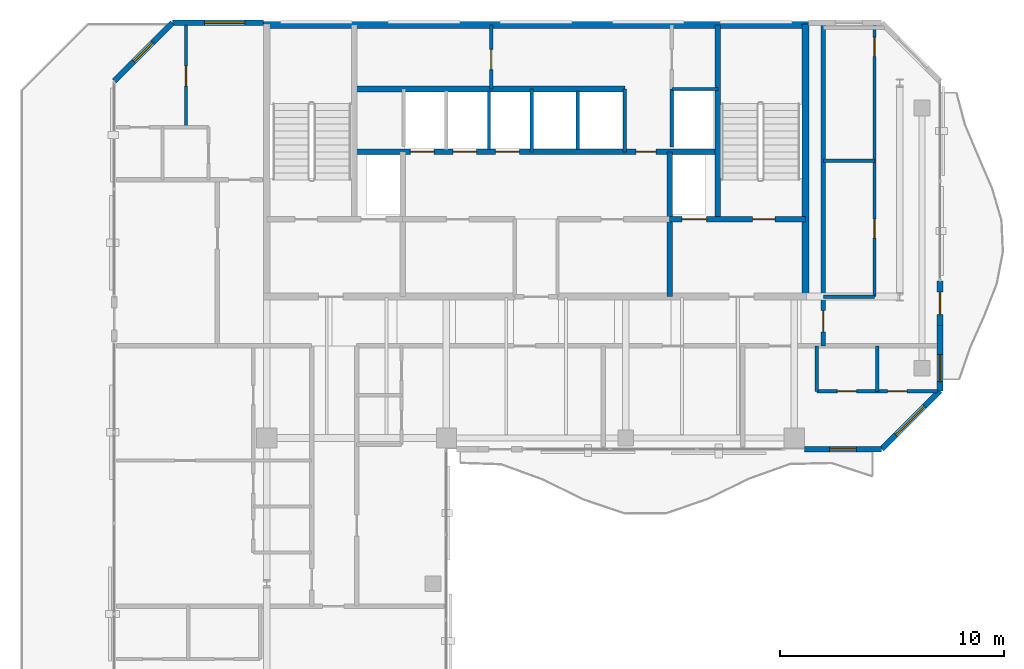
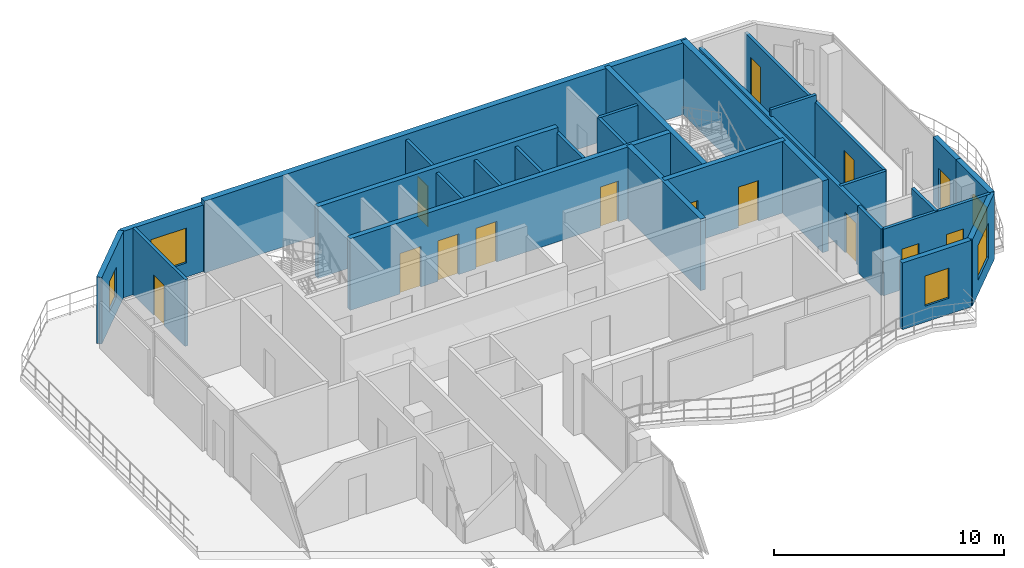
# One storey, part 15 of 18: 28 walls, 14 doors, 5 windows, 19 openings.
"""IFC4 building model written with IfcOpenShell, lengths in metres."""

from ifc_helpers import new_model, si_unit, direction, frame, frame_2d, origin, place, context, subcontext, project, spatial, rectangle, extrude, material, layer, layer_set, type_object, element, fill, save


model = new_model("IFC4")

# Units and contexts
model_context = context("Model", 3, precision=1e-05, world=origin(), true_north=direction((0.0, 1.0)))
body_context = subcontext(model_context, "Body", "Model", "MODEL_VIEW")
ifc_project = project(units=[si_unit("LENGTHUNIT", "METRE"), si_unit("AREAUNIT", "SQUARE_METRE"), si_unit("VOLUMEUNIT", "CUBIC_METRE"), si_unit("PLANEANGLEUNIT", "RADIAN"), si_unit("MASSUNIT", "GRAM", prefix="KILO")], contexts=[model_context])

# Site, building, storey
site_placement = place(None, origin())
site = spatial("IfcSite", under=ifc_project, at=site_placement, CompositionType="ELEMENT")
building_placement = place(site_placement, origin())
building = spatial("IfcBuilding", under=site, at=building_placement, Name="Catumbela Crestline Tower", CompositionType="ELEMENT")
storey_placement = place(building_placement, frame((0.0, 0.0, 264.0)))
storey = spatial("IfcBuildingStorey", under=building, at=storey_placement, Name="L68", CompositionType="ELEMENT", Elevation=264.0)

# Walls
ifc_material_1 = material(Name="Concrete C50/60", Category="concrete")
ifc_layer_1 = layer(ifc_material_1, 0.25, Name="Concrete C50/60")
ifc_layer_set_1 = layer_set([ifc_layer_1], Name="Concrete C50/60")
wall_type_1 = type_object("IfcWallType", Name="CW-250D", PredefinedType="SHEAR", material=ifc_layer_set_1)
wall_1_placement = place(storey_placement, frame((36.1, 34.25, 0.0), z_axis=(0.0, 0.0, 1.0), x_axis=(0.0, 1.0, 0.0)))
element("IfcWall", 1, at=wall_1_placement, inside=storey, type_object=wall_type_1, Name="L68 Structural Core Shear Wall EWEB", PredefinedType="SHEAR", context=body_context, shape_type="SweptSolid", body=[
    extrude(rectangle(XDim=8.65, YDim=0.25, at=frame_2d((4.325, 0.0))), origin(), (0.0, 0.0, 1.0), 3.8),
])
wall_2_placement = place(storey_placement, frame((33.95, 30.8, 0.0), z_axis=(0.0, 0.0, 1.0), x_axis=(0.0, 1.0, 0.0)))
element("IfcWall", 2, at=wall_2_placement, inside=storey, type_object=wall_type_1, Name="L68 Structural Core Shear Wall FFE", PredefinedType="SHEAR", context=body_context, shape_type="SweptSolid", body=[
    extrude(rectangle(XDim=6.45, YDim=0.25, at=frame_2d((3.225, 0.0))), origin(), (0.0, 0.0, 1.0), 3.8),
])

# Wall, openings, doors
wall_3_placement = place(storey_placement, frame((33.95, 34.25, 0.0), z_axis=(0.0, 0.0, 1.0), x_axis=(1.0, 0.0, 0.0)))
wall_3 = element("IfcWall", 3, at=wall_3_placement, inside=storey, type_object=wall_type_1, Name="L68 Structural Core Shear Wall ST2S", PredefinedType="SHEAR", context=body_context, shape_type="SweptSolid", body=[
    extrude(rectangle(XDim=6.05, YDim=0.25, at=frame_2d((3.025, 0.0))), origin(), (0.0, 0.0, 1.0), 3.8),
])
opening_1_placement = place(wall_3_placement, frame((3.7, 0.0, 0.0)))
opening_1 = element("IfcOpeningElement", 4, at=opening_1_placement, cuts=wall_3, Name="Opening DF9-100", PredefinedType="OPENING", context=body_context, shape_type="SweptSolid", body=[
    extrude(rectangle(XDim=1.0, YDim=2.15, at=frame_2d((0.5, 1.075))), frame((0.0, 0.135, 0.0), z_axis=(0.0, -1.0, 0.0), x_axis=(1.0, 0.0, 0.0)), (0.0, 0.0, 1.0), 0.27),
])
opening_2_placement = place(wall_3_placement, frame((0.55, 0.0, 0.0)))
opening_2 = element("IfcOpeningElement", 5, at=opening_2_placement, cuts=wall_3, Name="Opening LD-110", PredefinedType="OPENING", context=body_context, shape_type="SweptSolid", body=[
    extrude(rectangle(XDim=1.1, YDim=2.15, at=frame_2d((0.55, 1.075))), frame((0.0, 0.135, 0.0), z_axis=(0.0, -1.0, 0.0), x_axis=(1.0, 0.0, 0.0)), (0.0, 0.0, 1.0), 0.27),
])
ifc_material_2 = material(Name="Stainless steel EN 1.4401", Category="steel")
door_type_1 = type_object("IfcDoorType", Name="DF9-100", OperationType="NOTDEFINED", PredefinedType="DOOR", material=ifc_material_2)
door_1_placement = place(opening_1_placement, origin())
door_1 = element("IfcDoor", 6, at=door_1_placement, inside=storey, type_object=door_type_1, Name="L68 Interior Door DR-L68-ST02", OperationType="SINGLE_SWING_RIGHT", OverallHeight=2.15, OverallWidth=1.0, PredefinedType="DOOR", context=body_context, shape_type="SweptSolid", body=[
    extrude(rectangle(XDim=1.0, YDim=2.15, at=frame_2d((0.5, 1.075))), frame((0.0, 0.025, 0.0), z_axis=(0.0, -1.0, 0.0), x_axis=(1.0, 0.0, 0.0)), (0.0, 0.0, 1.0), 0.05),
])
fill(opening_1, door_1)
door_type_2 = type_object("IfcDoorType", Name="LD-110", OperationType="NOTDEFINED", PredefinedType="DOOR", material=ifc_material_2)
door_2_placement = place(opening_2_placement, origin())
door_2 = element("IfcDoor", 7, at=door_2_placement, inside=storey, type_object=door_type_2, Name="L68 Lift Landing Sliding Door FL-02", OperationType="DOUBLE_DOOR_SLIDING", OverallHeight=2.15, OverallWidth=1.1, PredefinedType="DOOR", context=body_context, shape_type="SweptSolid", body=[
    extrude(rectangle(XDim=1.1, YDim=2.15, at=frame_2d((0.55, 1.075))), frame((0.0, 0.025, 0.0), z_axis=(0.0, -1.0, 0.0), x_axis=(1.0, 0.0, 0.0)), (0.0, 0.0, 1.0), 0.05),
])
fill(opening_2, door_2)

wall_4_placement = place(storey_placement, frame((19.9, 37.25, 0.0), z_axis=(0.0, 0.0, 1.0), x_axis=(1.0, 0.0, 0.0)))
wall_4 = element("IfcWall", 8, at=wall_4_placement, inside=storey, type_object=wall_type_1, Name="L68 Structural Core Shear Wall LIFTN", PredefinedType="SHEAR", context=body_context, shape_type="SweptSolid", body=[
    extrude(rectangle(XDim=16.2, YDim=0.25, at=frame_2d((8.1, 0.0))), origin(), (0.0, 0.0, 1.0), 3.8),
])
opening_3_placement = place(wall_4_placement, frame((12.55, 0.0, 0.0)))
opening_3 = element("IfcOpeningElement", 9, at=opening_3_placement, cuts=wall_4, Name="Opening DF9-090", PredefinedType="OPENING", context=body_context, shape_type="SweptSolid", body=[
    extrude(rectangle(XDim=0.9, YDim=2.15, at=frame_2d((0.45, 1.075))), frame((0.0, 0.135, 0.0), z_axis=(0.0, -1.0, 0.0), x_axis=(1.0, 0.0, 0.0)), (0.0, 0.0, 1.0), 0.27),
])
opening_4_placement = place(wall_4_placement, frame((2.5, 0.0, 0.0)))
opening_4 = element("IfcOpeningElement", 10, at=opening_4_placement, cuts=wall_4, Name="Opening LD-105", PredefinedType="OPENING", context=body_context, shape_type="SweptSolid", body=[
    extrude(rectangle(XDim=1.05, YDim=2.15, at=frame_2d((0.525, 1.075))), frame((0.0, 0.135, 0.0), z_axis=(0.0, -1.0, 0.0), x_axis=(1.0, 0.0, 0.0)), (0.0, 0.0, 1.0), 0.27),
])
opening_5_placement = place(wall_4_placement, frame((4.4, 0.0, 0.0)))
opening_5 = element("IfcOpeningElement", 11, at=opening_5_placement, cuts=wall_4, Name="Opening LD-105", PredefinedType="OPENING", context=body_context, shape_type="SweptSolid", body=[
    extrude(rectangle(XDim=1.05, YDim=2.15, at=frame_2d((0.525, 1.075))), frame((0.0, 0.135, 0.0), z_axis=(0.0, -1.0, 0.0), x_axis=(1.0, 0.0, 0.0)), (0.0, 0.0, 1.0), 0.27),
])
opening_6_placement = place(wall_4_placement, frame((6.3, 0.0, 0.0)))
opening_6 = element("IfcOpeningElement", 12, at=opening_6_placement, cuts=wall_4, Name="Opening LD-105", PredefinedType="OPENING", context=body_context, shape_type="SweptSolid", body=[
    extrude(rectangle(XDim=1.05, YDim=2.15, at=frame_2d((0.525, 1.075))), frame((0.0, 0.135, 0.0), z_axis=(0.0, -1.0, 0.0), x_axis=(1.0, 0.0, 0.0)), (0.0, 0.0, 1.0), 0.27),
])
door_type_3 = type_object("IfcDoorType", Name="DF9-090", OperationType="NOTDEFINED", PredefinedType="DOOR", material=ifc_material_2)
door_3_placement = place(opening_3_placement, origin())
door_3 = element("IfcDoor", 13, at=door_3_placement, inside=storey, type_object=door_type_3, Name="L68 Interior Door DR-L68-CPAS1", OperationType="SINGLE_SWING_LEFT", OverallHeight=2.15, OverallWidth=0.9, PredefinedType="DOOR", context=body_context, shape_type="SweptSolid", body=[
    extrude(rectangle(XDim=0.9, YDim=2.15, at=frame_2d((0.45, 1.075))), frame((0.0, 0.025, 0.0), z_axis=(0.0, -1.0, 0.0), x_axis=(1.0, 0.0, 0.0)), (0.0, 0.0, 1.0), 0.05),
])
fill(opening_3, door_3)
door_type_4 = type_object("IfcDoorType", Name="LD-105", OperationType="NOTDEFINED", PredefinedType="DOOR", material=ifc_material_2)
door_4_placement = place(opening_4_placement, origin())
door_4 = element("IfcDoor", 14, at=door_4_placement, inside=storey, type_object=door_type_4, Name="L68 Lift Landing Sliding Door PL-H1", OperationType="DOUBLE_DOOR_SLIDING", OverallHeight=2.15, OverallWidth=1.05, PredefinedType="DOOR", context=body_context, shape_type="SweptSolid", body=[
    extrude(rectangle(XDim=1.05, YDim=2.15, at=frame_2d((0.525, 1.075))), frame((0.0, 0.025, 0.0), z_axis=(0.0, -1.0, 0.0), x_axis=(1.0, 0.0, 0.0)), (0.0, 0.0, 1.0), 0.05),
])
fill(opening_4, door_4)
door_5_placement = place(opening_5_placement, origin())
door_5 = element("IfcDoor", 15, at=door_5_placement, inside=storey, type_object=door_type_4, Name="L68 Lift Landing Sliding Door PL-H2", OperationType="DOUBLE_DOOR_SLIDING", OverallHeight=2.15, OverallWidth=1.05, PredefinedType="DOOR", context=body_context, shape_type="SweptSolid", body=[
    extrude(rectangle(XDim=1.05, YDim=2.15, at=frame_2d((0.525, 1.075))), frame((0.0, 0.025, 0.0), z_axis=(0.0, -1.0, 0.0), x_axis=(1.0, 0.0, 0.0)), (0.0, 0.0, 1.0), 0.05),
])
fill(opening_5, door_5)
door_6_placement = place(opening_6_placement, origin())
door_6 = element("IfcDoor", 16, at=door_6_placement, inside=storey, type_object=door_type_4, Name="L68 Lift Landing Sliding Door PL-H3", OperationType="DOUBLE_DOOR_SLIDING", OverallHeight=2.15, OverallWidth=1.05, PredefinedType="DOOR", context=body_context, shape_type="SweptSolid", body=[
    extrude(rectangle(XDim=1.05, YDim=2.15, at=frame_2d((0.525, 1.075))), frame((0.0, 0.025, 0.0), z_axis=(0.0, -1.0, 0.0), x_axis=(1.0, 0.0, 0.0)), (0.0, 0.0, 1.0), 0.05),
])
fill(opening_6, door_6)

# Walls
wall_5_placement = place(storey_placement, frame((19.9, 40.05, 0.0), z_axis=(0.0, 0.0, 1.0), x_axis=(1.0, 0.0, 0.0)))
element("IfcWall", 17, at=wall_5_placement, inside=storey, type_object=wall_type_1, Name="L68 Structural Core Shear Wall COREN", PredefinedType="SHEAR", context=body_context, shape_type="SweptSolid", body=[
    extrude(rectangle(XDim=12.05, YDim=0.25, at=frame_2d((6.025, 0.0))), origin(), (0.0, 0.0, 1.0), 3.8),
])
ifc_material_3 = material(Name="Concrete C45/55", Category="concrete")
ifc_layer_2 = layer(ifc_material_3, 0.3, Name="Concrete C45/55")
ifc_layer_set_2 = layer_set([ifc_layer_2], Name="Concrete C45/55")
wall_type_2 = type_object("IfcWallType", Name="CW-300C", PredefinedType="SHEAR", material=ifc_layer_set_2)
wall_6_placement = place(storey_placement, frame((40.0, 30.65, 0.0), z_axis=(0.0, 0.0, 1.0), x_axis=(0.0, 1.0, 0.0)))
element("IfcWall", 18, at=wall_6_placement, inside=storey, type_object=wall_type_2, Name="L68 Structural Core Shear Wall E", PredefinedType="SHEAR", context=body_context, shape_type="SweptSolid", body=[
    extrude(rectangle(XDim=12.3, YDim=0.3, at=frame_2d((6.15, 0.0))), origin(), (0.0, 0.0, 1.0), 3.8),
])
ifc_layer_3 = layer(ifc_material_3, 0.3, Name="Concrete C45/55")
ifc_layer_set_3 = layer_set([ifc_layer_3], Name="Concrete C45/55")
wall_type_3 = type_object("IfcWallType", Name="CW-300E", PredefinedType="SHEAR", material=ifc_layer_set_3)
wall_7_placement = place(storey_placement, frame((15.85, 42.9, 0.0), z_axis=(0.0, 0.0, 1.0), x_axis=(1.0, 0.0, 0.0)))
element("IfcWall", 19, at=wall_7_placement, inside=storey, type_object=wall_type_3, Name="L68 Structural Core Shear Wall N", PredefinedType="SHEAR", context=body_context, shape_type="SweptSolid", body=[
    extrude(rectangle(XDim=24.3, YDim=0.3, at=frame_2d((12.15, 0.0))), origin(), (0.0, 0.0, 1.0), 3.8),
])

# Wall, opening, door
ifc_material_4 = material(Name="Acoustic gypsum and mineral-wool partition")
ifc_layer_4 = layer(ifc_material_4, 0.2, Name="Acoustic gypsum and mineral-wool partition")
ifc_layer_set_4 = layer_set([ifc_layer_4], Name="Acoustic gypsum and mineral-wool partition")
wall_type_4 = type_object("IfcWallType", Name="WC-200", PredefinedType="PARTITIONING", material=ifc_layer_set_4)
wall_8_placement = place(storey_placement, frame((40.8, 28.6, 0.0), z_axis=(0.0, 0.0, 1.0), x_axis=(0.0, 1.0, 0.0)))
wall_8 = element("IfcWall", 20, at=wall_8_placement, inside=storey, type_object=wall_type_4, Name="L68 Interior Partition PW-L68-NE1-ENT", PredefinedType="PARTITIONING", context=body_context, shape_type="SweptSolid", body=[
    extrude(rectangle(XDim=14.3, YDim=0.2, at=frame_2d((7.15, 0.0))), origin(), (0.0, 0.0, 1.0), 3.16),
])
opening_7_placement = place(wall_8_placement, frame((0.625, 0.0, 0.0)))
opening_7 = element("IfcOpeningElement", 21, at=opening_7_placement, cuts=wall_8, Name="Opening DF6-095", PredefinedType="OPENING", context=body_context, shape_type="SweptSolid", body=[
    extrude(rectangle(XDim=0.95, YDim=2.15, at=frame_2d((0.475, 1.075))), frame((0.0, 0.11, 0.0), z_axis=(0.0, -1.0, 0.0), x_axis=(1.0, 0.0, 0.0)), (0.0, 0.0, 1.0), 0.22),
])
ifc_material_5 = material(Name="Aluminium alloy AW-6060-T66", Category="aluminium")
door_type_5 = type_object("IfcDoorType", Name="DF6-095", OperationType="NOTDEFINED", PredefinedType="DOOR", material=ifc_material_5)
door_7_placement = place(opening_7_placement, origin())
door_7 = element("IfcDoor", 22, at=door_7_placement, inside=storey, type_object=door_type_5, Name="L68 Interior Door DR-L68-NE1-ENT", OperationType="SINGLE_SWING_LEFT", OverallHeight=2.15, OverallWidth=0.95, PredefinedType="DOOR", context=body_context, shape_type="SweptSolid", body=[
    extrude(rectangle(XDim=0.95, YDim=2.15, at=frame_2d((0.475, 1.075))), frame((0.0, 0.025, 0.0), z_axis=(0.0, -1.0, 0.0), x_axis=(1.0, 0.0, 0.0)), (0.0, 0.0, 1.0), 0.05),
])
fill(opening_7, door_7)

# Wall, opening, window
ifc_material_6 = material(Name="Angolan grey-ochre granite", Category="masonry")
ifc_layer_5 = layer(ifc_material_6, 0.25, Name="Angolan grey-ochre granite")
ifc_layer_set_5 = layer_set([ifc_layer_5], Name="Angolan grey-ochre granite")
wall_type_5 = type_object("IfcWallType", Name="WE-250", PredefinedType="STANDARD", material=ifc_layer_set_5)
wall_9_placement = place(storey_placement, frame((39.95, 24.0, 0.0), z_axis=(0.0, 0.0, 1.0), x_axis=(1.0, 0.0, 0.0)))
wall_9 = element("IfcWall", 23, at=wall_9_placement, inside=storey, type_object=wall_type_5, Name="L68 Granite Punched Window Wall 3-3", PredefinedType="STANDARD", context=body_context, shape_type="SweptSolid", body=[
    extrude(rectangle(XDim=3.45, YDim=0.25, at=frame_2d((1.725, 0.0))), origin(), (0.0, 0.0, 1.0), 3.53),
])
opening_8_placement = place(wall_9_placement, frame((1.125, 0.0, 0.85)))
opening_8 = element("IfcOpeningElement", 24, at=opening_8_placement, cuts=wall_9, Name="Opening WN-02", PredefinedType="OPENING", context=body_context, shape_type="SweptSolid", body=[
    extrude(rectangle(XDim=1.2, YDim=1.6, at=frame_2d((0.6, 0.8))), frame((0.0, 0.135, 0.0), z_axis=(0.0, -1.0, 0.0), x_axis=(1.0, 0.0, 0.0)), (0.0, 0.0, 1.0), 0.27),
])
ifc_material_7 = material(Name="Low-E laminated solar-control double glazing", Category="glass")
window_type_1 = type_object("IfcWindowType", Name="WO-1200", PartitioningType="SINGLE_PANEL", PredefinedType="WINDOW", material=ifc_material_7)
window_1_placement = place(opening_8_placement, origin())
window_1 = element("IfcWindow", 25, at=window_1_placement, inside=storey, type_object=window_type_1, Name="L68 Facade Vision Window 530", OverallHeight=1.6, OverallWidth=1.2, PartitioningType="SINGLE_PANEL", PredefinedType="WINDOW", context=body_context, shape_type="SweptSolid", body=[
    extrude(rectangle(XDim=1.2, YDim=1.6, at=frame_2d((0.6, 0.8))), frame((0.0, 0.03, 0.0), z_axis=(0.0, -1.0, 0.0), x_axis=(1.0, 0.0, 0.0)), (0.0, 0.0, 1.0), 0.06),
])
fill(opening_8, window_1)

wall_10_placement = place(storey_placement, frame((43.4, 24.0, 0.0), z_axis=(0.0, 0.0, 1.0), x_axis=(0.707106781187, 0.707106781187, 0.0)))
wall_10 = element("IfcWall", 26, at=wall_10_placement, inside=storey, type_object=wall_type_5, Name="L68 Granite Punched Window Wall 4-1", PredefinedType="STANDARD", context=body_context, shape_type="SweptSolid", body=[
    extrude(rectangle(XDim=3.677, YDim=0.25, at=frame_2d((1.8385, 0.0))), origin(), (0.0, 0.0, 1.0), 3.53),
])
opening_9_placement = place(wall_10_placement, frame((0.8962, 0.0, 0.75)))
opening_9 = element("IfcOpeningElement", 27, at=opening_9_placement, cuts=wall_10, Name="Opening WN-01", PredefinedType="OPENING", context=body_context, shape_type="SweptSolid", body=[
    extrude(rectangle(XDim=1.8, YDim=1.85, at=frame_2d((0.9, 0.925))), frame((0.0, 0.135, 0.0), z_axis=(0.0, -1.0, 0.0), x_axis=(1.0, 0.0, 0.0)), (0.0, 0.0, 1.0), 0.27),
])
window_type_2 = type_object("IfcWindowType", Name="WF-1800", PartitioningType="SINGLE_PANEL", PredefinedType="WINDOW", material=ifc_material_7)
window_2_placement = place(opening_9_placement, origin())
window_2 = element("IfcWindow", 28, at=window_2_placement, inside=storey, type_object=window_type_2, Name="L68 Facade Vision Window 531", OverallHeight=1.85, OverallWidth=1.8, PartitioningType="SINGLE_PANEL", PredefinedType="WINDOW", context=body_context, shape_type="SweptSolid", body=[
    extrude(rectangle(XDim=1.8, YDim=1.85, at=frame_2d((0.9, 0.925))), frame((0.0, 0.03, 0.0), z_axis=(0.0, -1.0, 0.0), x_axis=(1.0, 0.0, 0.0)), (0.0, 0.0, 1.0), 0.06),
])
fill(opening_9, window_2)

# Wall, opening, door
wall_11_placement = place(storey_placement, frame((46.0, 29.5, 0.0), z_axis=(0.0, 0.0, 1.0), x_axis=(0.0, 1.0, 0.0)))
wall_11 = element("IfcWall", 29, at=wall_11_placement, inside=storey, type_object=wall_type_5, Name="L68 Exterior Threshold Portal Wall DR-L68-WBAL-2", PredefinedType="STANDARD", context=body_context, shape_type="SweptSolid", body=[
    extrude(rectangle(XDim=2.0, YDim=0.25, at=frame_2d((1.0, 0.0))), origin(), (0.0, 0.0, 1.0), 3.53),
])
opening_10_placement = place(wall_11_placement, frame((0.5, 0.0, 0.0)))
opening_10 = element("IfcOpeningElement", 30, at=opening_10_placement, cuts=wall_11, Name="Opening DB-L68-2", PredefinedType="OPENING", context=body_context, shape_type="SweptSolid", body=[
    extrude(rectangle(XDim=1.0, YDim=2.15, at=frame_2d((0.5, 1.075))), frame((0.0, 0.135, 0.0), z_axis=(0.0, -1.0, 0.0), x_axis=(1.0, 0.0, 0.0)), (0.0, 0.0, 1.0), 0.27),
])
door_type_6 = type_object("IfcDoorType", Name="DB-1000", OperationType="NOTDEFINED", PredefinedType="DOOR", material=ifc_material_5)
door_8_placement = place(opening_10_placement, origin())
door_8 = element("IfcDoor", 31, at=door_8_placement, inside=storey, type_object=door_type_6, Name="L68 Wave Balcony Terrace Door 2", OperationType="SINGLE_SWING_LEFT", OverallHeight=2.15, OverallWidth=1.0, PredefinedType="DOOR", context=body_context, shape_type="SweptSolid", body=[
    extrude(rectangle(XDim=1.0, YDim=2.15, at=frame_2d((0.5, 1.075))), frame((0.0, 0.025, 0.0), z_axis=(0.0, -1.0, 0.0), x_axis=(1.0, 0.0, 0.0)), (0.0, 0.0, 1.0), 0.05),
])
fill(opening_10, door_8)

# Wall, opening, window
wall_12_placement = place(storey_placement, frame((46.0, 26.6, 0.0), z_axis=(0.0, 0.0, 1.0), x_axis=(0.0, 1.0, 0.0)))
wall_12 = element("IfcWall", 32, at=wall_12_placement, inside=storey, type_object=wall_type_5, Name="L68 Granite Punched Window Wall 5-1", PredefinedType="STANDARD", context=body_context, shape_type="SweptSolid", body=[
    extrude(rectangle(XDim=2.9, YDim=0.25, at=frame_2d((1.45, 0.0))), origin(), (0.0, 0.0, 1.0), 3.53),
])
opening_11_placement = place(wall_12_placement, frame((0.41, 0.0, 0.85)))
opening_11 = element("IfcOpeningElement", 33, at=opening_11_placement, cuts=wall_12, Name="Opening WN-02", PredefinedType="OPENING", context=body_context, shape_type="SweptSolid", body=[
    extrude(rectangle(XDim=1.2, YDim=1.6, at=frame_2d((0.6, 0.8))), frame((0.0, 0.135, 0.0), z_axis=(0.0, -1.0, 0.0), x_axis=(1.0, 0.0, 0.0)), (0.0, 0.0, 1.0), 0.27),
])
window_3_placement = place(opening_11_placement, origin())
window_3 = element("IfcWindow", 34, at=window_3_placement, inside=storey, type_object=window_type_1, Name="L68 Facade Vision Window 532", OverallHeight=1.6, OverallWidth=1.2, PartitioningType="SINGLE_PANEL", PredefinedType="WINDOW", context=body_context, shape_type="SweptSolid", body=[
    extrude(rectangle(XDim=1.2, YDim=1.6, at=frame_2d((0.6, 0.8))), frame((0.0, 0.03, 0.0), z_axis=(0.0, -1.0, 0.0), x_axis=(1.0, 0.0, 0.0)), (0.0, 0.0, 1.0), 0.06),
])
fill(opening_11, window_3)

wall_13_placement = place(storey_placement, frame((15.86, 43.0, 0.0), z_axis=(0.0, 0.0, 1.0), x_axis=(-1.0, 0.0, 0.0)))
wall_13 = element("IfcWall", 35, at=wall_13_placement, inside=storey, type_object=wall_type_5, Name="L68 Granite Punched Window Wall 7-2", PredefinedType="STANDARD", context=body_context, shape_type="SweptSolid", body=[
    extrude(rectangle(XDim=4.06, YDim=0.25, at=frame_2d((2.03, 0.0))), origin(), (0.0, 0.0, 1.0), 3.53),
])
opening_12_placement = place(wall_13_placement, frame((0.84, 0.0, 0.75)))
opening_12 = element("IfcOpeningElement", 36, at=opening_12_placement, cuts=wall_13, Name="Opening WN-01", PredefinedType="OPENING", context=body_context, shape_type="SweptSolid", body=[
    extrude(rectangle(XDim=1.8, YDim=1.85, at=frame_2d((0.9, 0.925))), frame((0.0, 0.135, 0.0), z_axis=(0.0, -1.0, 0.0), x_axis=(1.0, 0.0, 0.0)), (0.0, 0.0, 1.0), 0.27),
])
window_4_placement = place(opening_12_placement, origin())
window_4 = element("IfcWindow", 37, at=window_4_placement, inside=storey, type_object=window_type_2, Name="L68 Facade Vision Window 535", OverallHeight=1.85, OverallWidth=1.8, PartitioningType="SINGLE_PANEL", PredefinedType="WINDOW", context=body_context, shape_type="SweptSolid", body=[
    extrude(rectangle(XDim=1.8, YDim=1.85, at=frame_2d((0.9, 0.925))), frame((0.0, 0.03, 0.0), z_axis=(0.0, -1.0, 0.0), x_axis=(1.0, 0.0, 0.0)), (0.0, 0.0, 1.0), 0.06),
])
fill(opening_12, window_4)

wall_14_placement = place(storey_placement, frame((11.8, 43.0, 0.0), z_axis=(0.0, 0.0, 1.0), x_axis=(-0.707106781187, -0.707106781187, 0.0)))
wall_14 = element("IfcWall", 38, at=wall_14_placement, inside=storey, type_object=wall_type_5, Name="L68 Granite Punched Window Wall 8-1", PredefinedType="STANDARD", context=body_context, shape_type="SweptSolid", body=[
    extrude(rectangle(XDim=3.677, YDim=0.25, at=frame_2d((1.8385, 0.0))), origin(), (0.0, 0.0, 1.0), 3.53),
])
opening_13_placement = place(wall_14_placement, frame((1.2385, 0.0, 0.85)))
opening_13 = element("IfcOpeningElement", 39, at=opening_13_placement, cuts=wall_14, Name="Opening WN-02", PredefinedType="OPENING", context=body_context, shape_type="SweptSolid", body=[
    extrude(rectangle(XDim=1.2, YDim=1.6, at=frame_2d((0.6, 0.8))), frame((0.0, 0.135, 0.0), z_axis=(0.0, -1.0, 0.0), x_axis=(1.0, 0.0, 0.0)), (0.0, 0.0, 1.0), 0.27),
])
window_5_placement = place(opening_13_placement, origin())
window_5 = element("IfcWindow", 40, at=window_5_placement, inside=storey, type_object=window_type_1, Name="L68 Facade Vision Window 536", OverallHeight=1.6, OverallWidth=1.2, PartitioningType="SINGLE_PANEL", PredefinedType="WINDOW", context=body_context, shape_type="SweptSolid", body=[
    extrude(rectangle(XDim=1.2, YDim=1.6, at=frame_2d((0.6, 0.8))), frame((0.0, 0.03, 0.0), z_axis=(0.0, -1.0, 0.0), x_axis=(1.0, 0.0, 0.0)), (0.0, 0.0, 1.0), 0.06),
])
fill(opening_13, window_5)

# Wall
ifc_layer_6 = layer(ifc_material_4, 0.15, Name="Acoustic gypsum and mineral-wool partition")
ifc_layer_set_6 = layer_set([ifc_layer_6], Name="Acoustic gypsum and mineral-wool partition")
wall_type_6 = type_object("IfcWallType", Name="WP-150", PredefinedType="PARTITIONING", material=ifc_layer_set_6)
wall_15_placement = place(storey_placement, frame((34.05, 40.05, 0.0), z_axis=(0.0, 0.0, 1.0), x_axis=(1.0, 0.0, 0.0)))
element("IfcWall", 41, at=wall_15_placement, inside=storey, type_object=wall_type_6, Name="L68 Interior Partition PW-L68-CR-ES", PredefinedType="PARTITIONING", context=body_context, shape_type="SweptSolid", body=[
    extrude(rectangle(XDim=2.05, YDim=0.15, at=frame_2d((1.025, 0.0))), origin(), (0.0, 0.0, 1.0), 3.53),
])

# Wall, opening, door
wall_16_placement = place(storey_placement, frame((26.0, 40.05, 0.0), z_axis=(0.0, 0.0, 1.0), x_axis=(0.0, 1.0, 0.0)))
wall_16 = element("IfcWall", 42, at=wall_16_placement, inside=storey, type_object=wall_type_6, Name="L68 Interior Partition PW-L68-CR-WW", PredefinedType="PARTITIONING", context=body_context, shape_type="SweptSolid", body=[
    extrude(rectangle(XDim=2.85, YDim=0.15, at=frame_2d((1.425, 0.0))), origin(), (0.0, 0.0, 1.0), 3.53),
])
opening_14_placement = place(wall_16_placement, frame((0.865, 0.0, 0.0)))
opening_14 = element("IfcOpeningElement", 43, at=opening_14_placement, cuts=wall_16, Name="Opening DF9-090", PredefinedType="OPENING", context=body_context, shape_type="SweptSolid", body=[
    extrude(rectangle(XDim=0.9, YDim=2.15, at=frame_2d((0.45, 1.075))), frame((0.0, 0.085, 0.0), z_axis=(0.0, -1.0, 0.0), x_axis=(1.0, 0.0, 0.0)), (0.0, 0.0, 1.0), 0.17),
])
door_9_placement = place(opening_14_placement, origin())
door_9 = element("IfcDoor", 44, at=door_9_placement, inside=storey, type_object=door_type_3, Name="L68 Interior Door DR-L68-CRWEST", OperationType="SINGLE_SWING_LEFT", OverallHeight=2.15, OverallWidth=0.9, PredefinedType="DOOR", context=body_context, shape_type="SweptSolid", body=[
    extrude(rectangle(XDim=0.9, YDim=2.15, at=frame_2d((0.45, 1.075))), frame((0.0, 0.025, 0.0), z_axis=(0.0, -1.0, 0.0), x_axis=(1.0, 0.0, 0.0)), (0.0, 0.0, 1.0), 0.05),
])
fill(opening_14, door_9)

wall_17_placement = place(storey_placement, frame((12.4, 38.35, 0.0), z_axis=(0.0, 0.0, 1.0), x_axis=(0.0, 1.0, 0.0)))
wall_17 = element("IfcWall", 45, at=wall_17_placement, inside=storey, type_object=wall_type_6, Name="L68 Interior Partition PW-L68-NW1-BD1W", PredefinedType="PARTITIONING", context=body_context, shape_type="SweptSolid", body=[
    extrude(rectangle(XDim=4.55, YDim=0.15, at=frame_2d((2.275, 0.0))), origin(), (0.0, 0.0, 1.0), 3.53),
])
opening_15_placement = place(wall_17_placement, frame((1.825, 0.0, 0.0)))
opening_15 = element("IfcOpeningElement", 46, at=opening_15_placement, cuts=wall_17, Name="Opening DI-090", PredefinedType="OPENING", context=body_context, shape_type="SweptSolid", body=[
    extrude(rectangle(XDim=0.9, YDim=2.15, at=frame_2d((0.45, 1.075))), frame((0.0, 0.085, 0.0), z_axis=(0.0, -1.0, 0.0), x_axis=(1.0, 0.0, 0.0)), (0.0, 0.0, 1.0), 0.17),
])
door_type_7 = type_object("IfcDoorType", Name="DI-090", OperationType="NOTDEFINED", PredefinedType="DOOR", material=ifc_material_5)
door_10_placement = place(opening_15_placement, origin())
door_10 = element("IfcDoor", 47, at=door_10_placement, inside=storey, type_object=door_type_7, Name="L68 Interior Door DR-L68-NW1-BD1", OperationType="SINGLE_SWING_LEFT", OverallHeight=2.15, OverallWidth=0.9, PredefinedType="DOOR", context=body_context, shape_type="SweptSolid", body=[
    extrude(rectangle(XDim=0.9, YDim=2.15, at=frame_2d((0.45, 1.075))), frame((0.0, 0.025, 0.0), z_axis=(0.0, -1.0, 0.0), x_axis=(1.0, 0.0, 0.0)), (0.0, 0.0, 1.0), 0.05),
])
fill(opening_15, door_10)

# Walls
wall_18_placement = place(storey_placement, frame((40.8, 30.8, 0.0), z_axis=(0.0, 0.0, 1.0), x_axis=(1.0, 0.0, 0.0)))
element("IfcWall", 48, at=wall_18_placement, inside=storey, type_object=wall_type_6, Name="L68 Interior Partition PW-L68-NE1-KBS", PredefinedType="PARTITIONING", context=body_context, shape_type="SweptSolid", body=[
    extrude(rectangle(XDim=2.28, YDim=0.15, at=frame_2d((1.14, 0.0))), origin(), (0.0, 0.0, 1.0), 3.16),
])
wall_19_placement = place(storey_placement, frame((40.8, 36.85, 0.0), z_axis=(0.0, 0.0, 1.0), x_axis=(1.0, 0.0, 0.0)))
element("IfcWall", 49, at=wall_19_placement, inside=storey, type_object=wall_type_6, Name="L68 Interior Partition PW-L68-NE1-KBM", PredefinedType="PARTITIONING", context=body_context, shape_type="SweptSolid", body=[
    extrude(rectangle(XDim=2.28, YDim=0.15, at=frame_2d((1.14, 0.0))), origin(), (0.0, 0.0, 1.0), 3.53),
])

# Wall, openings, doors
wall_20_placement = place(storey_placement, frame((43.08, 30.8, 0.0), z_axis=(0.0, 0.0, 1.0), x_axis=(0.0, 1.0, 0.0)))
wall_20 = element("IfcWall", 50, at=wall_20_placement, inside=storey, type_object=wall_type_6, Name="L68 Interior Partition PW-L68-NE1-SK1", PredefinedType="PARTITIONING", context=body_context, shape_type="SweptSolid", body=[
    extrude(rectangle(XDim=12.1, YDim=0.15, at=frame_2d((6.05, 0.0))), origin(), (0.0, 0.0, 1.0), 3.16),
])
opening_16_placement = place(wall_20_placement, frame((2.6, 0.0, 0.0)))
opening_16 = element("IfcOpeningElement", 51, at=opening_16_placement, cuts=wall_20, Name="Opening DI-085", PredefinedType="OPENING", context=body_context, shape_type="SweptSolid", body=[
    extrude(rectangle(XDim=0.85, YDim=2.15, at=frame_2d((0.425, 1.075))), frame((0.0, 0.085, 0.0), z_axis=(0.0, -1.0, 0.0), x_axis=(1.0, 0.0, 0.0)), (0.0, 0.0, 1.0), 0.17),
])
opening_17_placement = place(wall_20_placement, frame((10.7036, 0.0, 0.0)))
opening_17 = element("IfcOpeningElement", 52, at=opening_17_placement, cuts=wall_20, Name="Opening DI-085", PredefinedType="OPENING", context=body_context, shape_type="SweptSolid", body=[
    extrude(rectangle(XDim=0.85, YDim=2.15, at=frame_2d((0.425, 1.075))), frame((0.0, 0.085, 0.0), z_axis=(0.0, -1.0, 0.0), x_axis=(1.0, 0.0, 0.0)), (0.0, 0.0, 1.0), 0.17),
])
door_type_8 = type_object("IfcDoorType", Name="DI-085", OperationType="NOTDEFINED", PredefinedType="DOOR", material=ifc_material_5)
door_11_placement = place(opening_16_placement, origin())
door_11 = element("IfcDoor", 53, at=door_11_placement, inside=storey, type_object=door_type_8, Name="L68 Interior Door DR-L68-NE1-KIT", OperationType="SINGLE_SWING_LEFT", OverallHeight=2.15, OverallWidth=0.85, PredefinedType="DOOR", context=body_context, shape_type="SweptSolid", body=[
    extrude(rectangle(XDim=0.85, YDim=2.15, at=frame_2d((0.425, 1.075))), frame((0.0, 0.025, 0.0), z_axis=(0.0, -1.0, 0.0), x_axis=(1.0, 0.0, 0.0)), (0.0, 0.0, 1.0), 0.05),
])
fill(opening_16, door_11)
door_12_placement = place(opening_17_placement, origin())
door_12 = element("IfcDoor", 54, at=door_12_placement, inside=storey, type_object=door_type_8, Name="L68 Interior Door DR-L68-NE1-BTH", OperationType="SINGLE_SWING_RIGHT", OverallHeight=2.15, OverallWidth=0.85, PredefinedType="DOOR", context=body_context, shape_type="SweptSolid", body=[
    extrude(rectangle(XDim=0.85, YDim=2.15, at=frame_2d((0.425, 1.075))), frame((0.0, 0.025, 0.0), z_axis=(0.0, -1.0, 0.0), x_axis=(1.0, 0.0, 0.0)), (0.0, 0.0, 1.0), 0.05),
])
fill(opening_17, door_12)

# Walls
for number, where, z_axis, x_axis, name in (
    (55, (40.506, 26.576, 0.0), (0.0, 0.0, 1.0), (0.0, 1.0, 0.0), "L68 Interior Partition PW-L68-S3-KBW"),
    (56, (43.203, 26.576, 0.0), (0.0, 0.0, 1.0), (0.0, 1.0, 0.0), "L68 Interior Partition PW-L68-S3-KBM"),
):
    element("IfcWall", number, at=place(storey_placement, frame(where, z_axis=z_axis, x_axis=x_axis)), inside=storey, type_object=wall_type_6, Name=name, PredefinedType="PARTITIONING", context=body_context, shape_type="SweptSolid", body=[
        extrude(rectangle(XDim=2.024, YDim=0.15, at=frame_2d((1.012, 0.0))), origin(), (0.0, 0.0, 1.0), 3.53),
    ])

# Wall, openings, doors
wall_21_placement = place(storey_placement, frame((40.506, 26.576, 0.0), z_axis=(0.0, 0.0, 1.0), x_axis=(1.0, 0.0, 0.0)))
wall_21 = element("IfcWall", 57, at=wall_21_placement, inside=storey, type_object=wall_type_6, Name="L68 Interior Partition PW-L68-S3-KBD1", PredefinedType="PARTITIONING", context=body_context, shape_type="SweptSolid", body=[
    extrude(rectangle(XDim=5.37, YDim=0.15, at=frame_2d((2.685, 0.0))), origin(), (0.0, 0.0, 1.0), 3.53),
])
opening_18_placement = place(wall_21_placement, frame((0.9235, 0.0, 0.0)))
opening_18 = element("IfcOpeningElement", 58, at=opening_18_placement, cuts=wall_21, Name="Opening DI-085", PredefinedType="OPENING", context=body_context, shape_type="SweptSolid", body=[
    extrude(rectangle(XDim=0.85, YDim=2.15, at=frame_2d((0.425, 1.075))), frame((0.0, 0.085, 0.0), z_axis=(0.0, -1.0, 0.0), x_axis=(1.0, 0.0, 0.0)), (0.0, 0.0, 1.0), 0.17),
])
opening_19_placement = place(wall_21_placement, frame((3.1619, 0.0, 0.0)))
opening_19 = element("IfcOpeningElement", 59, at=opening_19_placement, cuts=wall_21, Name="Opening DI-085", PredefinedType="OPENING", context=body_context, shape_type="SweptSolid", body=[
    extrude(rectangle(XDim=0.85, YDim=2.15, at=frame_2d((0.425, 1.075))), frame((0.0, 0.085, 0.0), z_axis=(0.0, -1.0, 0.0), x_axis=(1.0, 0.0, 0.0)), (0.0, 0.0, 1.0), 0.17),
])
door_13_placement = place(opening_18_placement, origin())
door_13 = element("IfcDoor", 60, at=door_13_placement, inside=storey, type_object=door_type_8, Name="L68 Interior Door DR-L68-S3-BTH", OperationType="SINGLE_SWING_LEFT", OverallHeight=2.15, OverallWidth=0.85, PredefinedType="DOOR", context=body_context, shape_type="SweptSolid", body=[
    extrude(rectangle(XDim=0.85, YDim=2.15, at=frame_2d((0.425, 1.075))), frame((0.0, 0.025, 0.0), z_axis=(0.0, -1.0, 0.0), x_axis=(1.0, 0.0, 0.0)), (0.0, 0.0, 1.0), 0.05),
])
fill(opening_18, door_13)
door_14_placement = place(opening_19_placement, origin())
door_14 = element("IfcDoor", 61, at=door_14_placement, inside=storey, type_object=door_type_8, Name="L68 Interior Door DR-L68-S3-KIT", OperationType="SINGLE_SWING_LEFT", OverallHeight=2.15, OverallWidth=0.85, PredefinedType="DOOR", context=body_context, shape_type="SweptSolid", body=[
    extrude(rectangle(XDim=0.85, YDim=2.15, at=frame_2d((0.425, 1.075))), frame((0.0, 0.025, 0.0), z_axis=(0.0, -1.0, 0.0), x_axis=(1.0, 0.0, 0.0)), (0.0, 0.0, 1.0), 0.05),
])
fill(opening_19, door_14)

# Walls
ifc_layer_7 = layer(ifc_material_4, 0.15, Name="Acoustic gypsum and mineral-wool partition")
ifc_layer_set_7 = layer_set([ifc_layer_7], Name="Acoustic gypsum and mineral-wool partition")
wall_type_7 = type_object("IfcWallType", Name="WS-150", PredefinedType="PLUMBINGWALL", material=ifc_layer_set_7)
wall_22_placement = place(storey_placement, frame((27.8, 37.25, 0.0), z_axis=(0.0, 0.0, 1.0), x_axis=(0.0, 1.0, 0.0)))
element("IfcWall", 62, at=wall_22_placement, inside=storey, type_object=wall_type_7, Name="L68 Interior Partition PW-L68-SHH3", PredefinedType="PLUMBINGWALL", context=body_context, shape_type="SweptSolid", body=[
    extrude(rectangle(XDim=2.8, YDim=0.15, at=frame_2d((1.4, 0.0))), origin(), (0.0, 0.0, 1.0), 3.53),
])
wall_23_placement = place(storey_placement, frame((25.9, 37.35, 0.0), z_axis=(0.0, 0.0, 1.0), x_axis=(0.0, 1.0, 0.0)))
element("IfcWall", 63, at=wall_23_placement, inside=storey, type_object=wall_type_7, Name="L68 Interior Partition PW-L68-SHH2", PredefinedType="PLUMBINGWALL", context=body_context, shape_type="SweptSolid", body=[
    extrude(rectangle(XDim=2.6, YDim=0.15, at=frame_2d((1.3, 0.0))), origin(), (0.0, 0.0, 1.0), 3.53),
])
wall_24_placement = place(storey_placement, frame((31.95, 37.25, 0.0), z_axis=(0.0, 0.0, 1.0), x_axis=(0.0, 1.0, 0.0)))
element("IfcWall", 64, at=wall_24_placement, inside=storey, type_object=wall_type_7, Name="L68 Interior Partition PW-L68-SHEX2E", PredefinedType="PLUMBINGWALL", context=body_context, shape_type="SweptSolid", body=[
    extrude(rectangle(XDim=2.8, YDim=0.15, at=frame_2d((1.4, 0.0))), origin(), (0.0, 0.0, 1.0), 3.53),
])
wall_25_placement = place(storey_placement, frame((29.85, 37.35, 0.0), z_axis=(0.0, 0.0, 1.0), x_axis=(0.0, 1.0, 0.0)))
element("IfcWall", 65, at=wall_25_placement, inside=storey, type_object=wall_type_7, Name="L68 Interior Partition PW-L68-SHEX1", PredefinedType="PLUMBINGWALL", context=body_context, shape_type="SweptSolid", body=[
    extrude(rectangle(XDim=2.6, YDim=0.15, at=frame_2d((1.3, 0.0))), origin(), (0.0, 0.0, 1.0), 3.53),
])
wall_26_placement = place(storey_placement, frame((34.05, 37.4734, 0.0), z_axis=(0.0, 0.0, 1.0), x_axis=(0.0, 1.0, 0.0)))
element("IfcWall", 66, at=wall_26_placement, inside=storey, type_object=wall_type_7, Name="L68 Interior Partition PW-L68-RISW", PredefinedType="PLUMBINGWALL", context=body_context, shape_type="SweptSolid", body=[
    extrude(rectangle(XDim=2.5766, YDim=0.15, at=frame_2d((1.2883, 0.0))), origin(), (0.0, 0.0, 1.0), 3.53),
])

save(model, "model.ifc")
